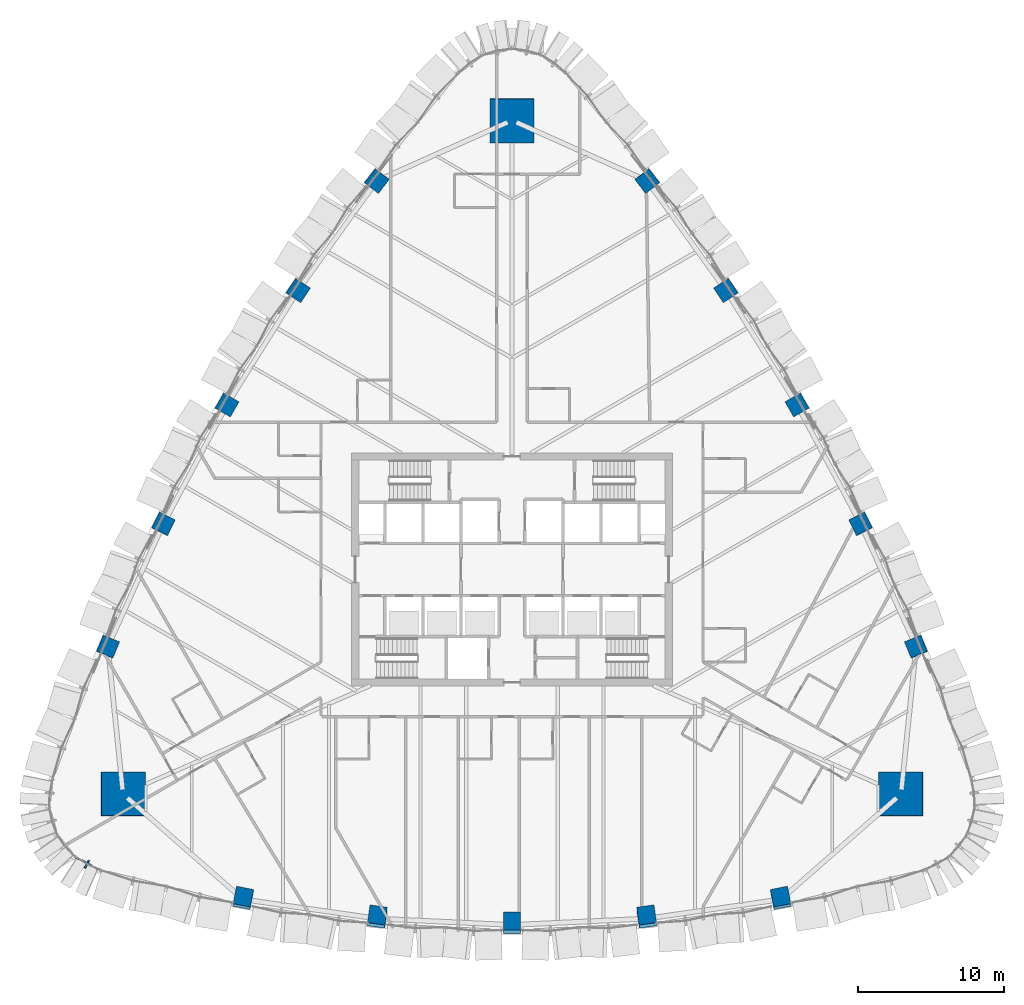
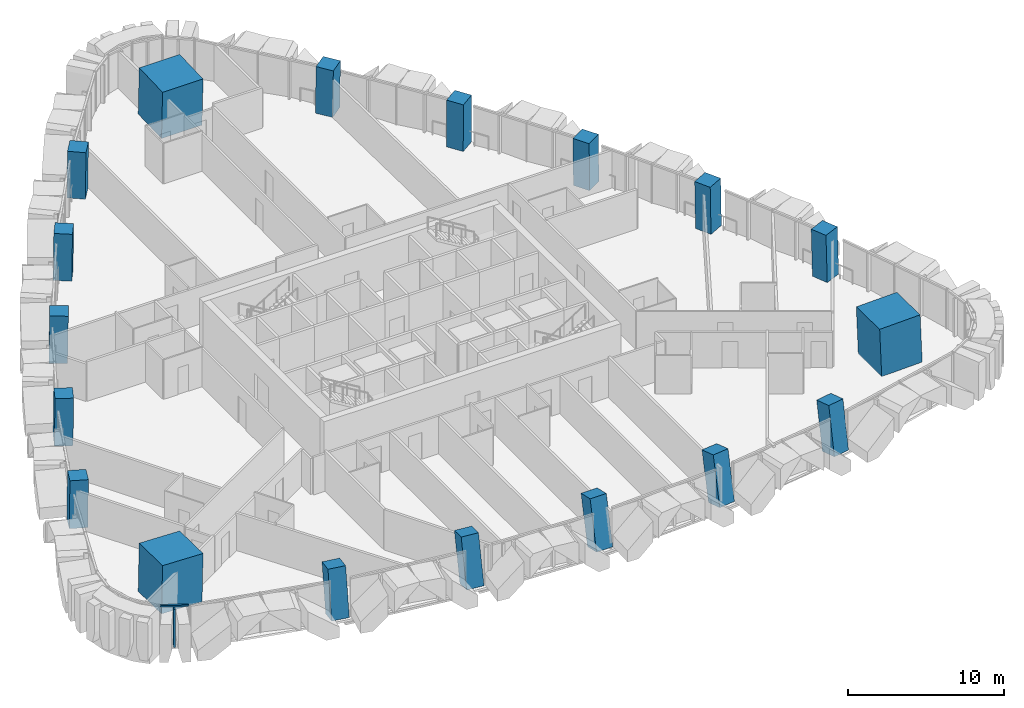
# One storey, part 1 of 22: 18 columns, 2 members, 1 element without a shape of its own.
"""IFC4 building model written with IfcOpenShell, lengths in metres."""

from ifc_helpers import new_model, si_unit, direction, frame, origin, origin_2d, place, context, subcontext, project, spatial, rectangle, extrude, clip, halfspace, material, layer, layer_set, material_profile, profile_set, type_object, element, aggregate, save


model = new_model("IFC4")

# Units and contexts
model_context = context("Model", 3, precision=1e-05, world=origin(), true_north=direction((0.0, 1.0)))
body_context = subcontext(model_context, "Body", "Model", "MODEL_VIEW")
ifc_project = project(units=[si_unit("LENGTHUNIT", "METRE"), si_unit("AREAUNIT", "SQUARE_METRE"), si_unit("VOLUMEUNIT", "CUBIC_METRE"), si_unit("PLANEANGLEUNIT", "RADIAN"), si_unit("MASSUNIT", "GRAM", prefix="KILO")], contexts=[model_context])

# Site, building, storey
site_placement = place(None, origin())
site = spatial("IfcSite", under=ifc_project, at=site_placement, CompositionType="ELEMENT")
building_placement = place(site_placement, origin())
building = spatial("IfcBuilding", under=site, at=building_placement, Name="Sierra Prisma Convention Tower", CompositionType="ELEMENT")
storey_placement = place(building_placement, frame((0.0, 0.0, 66.5)))
storey = spatial("IfcBuildingStorey", under=building, at=storey_placement, Name="L12", CompositionType="ELEMENT", Elevation=66.5)

# Columns
ifc_material_1 = material(Name="Concrete C60/75", Category="concrete")
ifc_material_profile_1 = material_profile(ifc_material_1, rectangle(XDim=3.0, YDim=3.0, at=origin_2d()), Name="Mega column RC 3000 C60/75")
ifc_profile_set_1 = profile_set([ifc_material_profile_1], Name="Concrete C60/75")
column_type_1 = type_object("IfcColumnType", Name="Mega column RC 3000 C60/75", PredefinedType="COLUMN", material=ifc_profile_set_1)
for number, where, z_axis, x_axis, name in (
    (1, (26.67578125, -15.4013671875, 0.0), (-0.030531956516, 0.017672925154, 0.999377539946), (0.99953379114, 0.000539840661, 0.030527183636), "Mega column SE L12"),
    (2, (0.0, 30.802490234375, 0.0), (0.0, -0.035214042205, 0.999379793288), (1.0, 0.0, 0.0), "Mega column N L12"),
    (3, (-26.67578125, -15.4013671875, 0.0), (0.030531956516, 0.017672925154, 0.999377539946), (0.99953379114, -0.000539840661, -0.030527183636), "Mega column SW L12"),
):
    element("IfcColumn", number, at=place(storey_placement, frame(where, z_axis=z_axis, x_axis=x_axis)), inside=storey, type_object=column_type_1, Name=name, PredefinedType="COLUMN", context=body_context, shape_type="SweptSolid", body=[
        extrude(rectangle(XDim=3.0, YDim=3.0, at=origin_2d()), origin(), (0.0, 0.0, 1.0), 3.7021484375),
    ])
ifc_material_2 = material(Name="Concrete C60/75", Category="concrete")
ifc_material_profile_2 = material_profile(ifc_material_2, rectangle(XDim=1.199951171875, YDim=1.199951171875, at=origin_2d()), Name="Perimeter column RC 1200 C60/75")
ifc_profile_set_2 = profile_set([ifc_material_profile_2], Name="Concrete C60/75")
column_type_2 = type_object("IfcColumnType", Name="Perimeter column RC 1200 C60/75", PredefinedType="COLUMN", material=ifc_profile_set_2)
column_1_placement = place(storey_placement, frame((-18.444580078125, -22.621826171875, 0.0), z_axis=(0.019018956694, 0.15899066195, 0.987096879085), x_axis=(-0.981890485807, 0.189097653635, -0.011539119147)))
element("IfcColumn", 4, at=column_1_placement, inside=storey, type_object=column_type_2, Name="Perimeter column S-1 L12", PredefinedType="COLUMN", context=body_context, shape_type="SweptSolid", body=[
    clip(clip(extrude(rectangle(XDim=1.199951171875, YDim=1.199951171875, at=origin_2d()), origin(), (0.0, 0.0, 1.0), 3.748291015625), halfspace(frame((0.0, 0.0, 0.005615234375)), True)), halfspace(frame((0.0, 0.0, 3.733642578125)), False)),
])
column_2_placement = place(storey_placement, frame((-9.242431640625, -23.938720703125, 0.0), z_axis=(0.00942953432, 0.204607977573, 0.978798579584), x_axis=(0.990215317111, -0.138199898552, 0.019349775144)))
element("IfcColumn", 5, at=column_2_placement, inside=storey, type_object=column_type_2, Name="Perimeter column S-2 L12", PredefinedType="COLUMN", context=body_context, shape_type="SweptSolid", body=[
    clip(clip(extrude(rectangle(XDim=1.199951171875, YDim=1.199951171875, at=origin_2d()), origin(), (0.0, 0.0, 1.0), 3.780029296875), halfspace(frame((0.0, 0.0, 0.006591796875)), True)), halfspace(frame((0.0, 0.0, 3.76220703125)), False)),
])
column_3_placement = place(storey_placement, frame((0.0, -24.376220703125, 0.0), z_axis=(0.0, 0.219274740936, 0.975663152931), x_axis=(-1.0, 0.0, 0.0)))
element("IfcColumn", 6, at=column_3_placement, inside=storey, type_object=column_type_2, Name="Perimeter column S-3 L12", PredefinedType="COLUMN", context=body_context, shape_type="SweptSolid", body=[
    clip(clip(extrude(rectangle(XDim=1.199951171875, YDim=1.199951171875, at=origin_2d()), origin(), (0.0, 0.0, 1.0), 3.792236328125), halfspace(frame((0.0, 0.0, 0.00634765625)), True)), halfspace(frame((0.0, 0.0, 3.774658203125)), False)),
])
column_4_placement = place(storey_placement, frame((9.242431640625, -23.938720703125, 0.0), z_axis=(-0.00942953432, 0.204607977573, 0.978798579584), x_axis=(-0.990215317111, -0.138199898552, 0.019349775144)))
element("IfcColumn", 7, at=column_4_placement, inside=storey, type_object=column_type_2, Name="Perimeter column S-4 L12", PredefinedType="COLUMN", context=body_context, shape_type="SweptSolid", body=[
    clip(clip(extrude(rectangle(XDim=1.199951171875, YDim=1.199951171875, at=origin_2d()), origin(), (0.0, 0.0, 1.0), 3.780029296875), halfspace(frame((0.0, 0.0, 0.006591796875)), True)), halfspace(frame((0.0, 0.0, 3.76220703125)), False)),
])
column_5_placement = place(storey_placement, frame((18.444580078125, -22.621826171875, 0.0), z_axis=(-0.019018956694, 0.15899066195, 0.987096879085), x_axis=(0.981890485807, 0.189097653635, -0.011539119147)))
element("IfcColumn", 8, at=column_5_placement, inside=storey, type_object=column_type_2, Name="Perimeter column S-5 L12", PredefinedType="COLUMN", context=body_context, shape_type="SweptSolid", body=[
    clip(clip(extrude(rectangle(XDim=1.199951171875, YDim=1.199951171875, at=origin_2d()), origin(), (0.0, 0.0, 1.0), 3.748291015625), halfspace(frame((0.0, 0.0, 0.005615234375)), True)), halfspace(frame((0.0, 0.0, 3.733642578125)), False)),
])
column_6_placement = place(storey_placement, frame((27.71630859375, -5.296142578125, 0.0), z_axis=(-0.019460655113, 0.011016709844, 0.999749926235), x_axis=(-0.381436993844, 0.924227098821, -0.017609359201)))
element("IfcColumn", 9, at=column_6_placement, inside=storey, type_object=column_type_2, Name="Perimeter column NE-1 L12", PredefinedType="COLUMN", context=body_context, shape_type="SweptSolid", body=[
    extrude(rectangle(XDim=1.199951171875, YDim=1.199951171875, at=origin_2d()), origin(), (0.0, 0.0, 1.0), 3.700927734375),
])
column_7_placement = place(storey_placement, frame((23.90771484375, 3.130859375, 0.0), z_axis=(-0.015240683228, 0.002309194428, 0.99988118754), x_axis=(-0.441667514031, 0.897135606394, -0.008804021245)))
element("IfcColumn", 10, at=column_7_placement, inside=storey, type_object=column_type_2, Name="Perimeter column NE-2 L12", PredefinedType="COLUMN", context=body_context, shape_type="SweptSolid", body=[
    extrude(rectangle(XDim=1.199951171875, YDim=1.199951171875, at=origin_2d()), origin(), (0.0, 0.0, 1.0), 3.700439453125),
])
column_8_placement = place(storey_placement, frame((19.551025390625, 11.287841796875, 0.0), z_axis=(-0.010622752832, -0.006202104138, 0.999924342651), x_axis=(-0.499971788485, 0.866041689005, 6.0208566e-05)))
element("IfcColumn", 11, at=column_8_placement, inside=storey, type_object=column_type_2, Name="Perimeter column NE-3 L12", PredefinedType="COLUMN", context=body_context, shape_type="SweptSolid", body=[
    extrude(rectangle(XDim=1.199951171875, YDim=1.199951171875, at=origin_2d()), origin(), (0.0, 0.0, 1.0), 3.7001953125),
])
column_9_placement = place(storey_placement, frame((14.665283203125, 19.139404296875, 0.0), z_axis=(-0.005674016471, -0.014382971985, 0.999880460682), x_axis=(-0.55608940167, 0.831075900632, 0.008799132814)))
element("IfcColumn", 12, at=column_9_placement, inside=storey, type_object=column_type_2, Name="Perimeter column NE-4 L12", PredefinedType="COLUMN", context=body_context, shape_type="SweptSolid", body=[
    extrude(rectangle(XDim=1.199951171875, YDim=1.199951171875, at=origin_2d()), origin(), (0.0, 0.0, 1.0), 3.700439453125),
])
for number, where, z_axis, x_axis, name in (
    (13, (9.271484375, 26.651123046875, 0.0), (-0.000131936642, -0.022363260764, 0.999749902306), (-0.609768966544, 0.792382791817, 0.017644224909), "Perimeter column NE-5 L12"),
    (14, (-9.271484375, 26.651123046875, 0.0), (0.000131936642, -0.022363260764, 0.999749902306), (0.609768966544, 0.792382791817, 0.017644224909), "Perimeter column NW-1 L12"),
):
    element("IfcColumn", number, at=place(storey_placement, frame(where, z_axis=z_axis, x_axis=x_axis)), inside=storey, type_object=column_type_2, Name=name, PredefinedType="COLUMN", context=body_context, shape_type="SweptSolid", body=[
        extrude(rectangle(XDim=1.199951171875, YDim=1.199951171875, at=origin_2d()), origin(), (0.0, 0.0, 1.0), 3.700927734375),
    ])
column_10_placement = place(storey_placement, frame((-14.665283203125, 19.139404296875, 0.0), z_axis=(0.005674016471, -0.014382971985, 0.999880460682), x_axis=(0.55608940167, 0.831075900632, 0.008799132814)))
element("IfcColumn", 15, at=column_10_placement, inside=storey, type_object=column_type_2, Name="Perimeter column NW-2 L12", PredefinedType="COLUMN", context=body_context, shape_type="SweptSolid", body=[
    extrude(rectangle(XDim=1.199951171875, YDim=1.199951171875, at=origin_2d()), origin(), (0.0, 0.0, 1.0), 3.700439453125),
])
column_11_placement = place(storey_placement, frame((-19.551025390625, 11.287841796875, 0.0), z_axis=(0.010622752832, -0.006202104138, 0.999924342651), x_axis=(0.499971788485, 0.866041689005, 6.0208566e-05)))
element("IfcColumn", 16, at=column_11_placement, inside=storey, type_object=column_type_2, Name="Perimeter column NW-3 L12", PredefinedType="COLUMN", context=body_context, shape_type="SweptSolid", body=[
    extrude(rectangle(XDim=1.199951171875, YDim=1.199951171875, at=origin_2d()), origin(), (0.0, 0.0, 1.0), 3.7001953125),
])
column_12_placement = place(storey_placement, frame((-23.90771484375, 3.130859375, 0.0), z_axis=(0.015240683228, 0.002309194428, 0.99988118754), x_axis=(0.441667514031, 0.897135606394, -0.008804021245)))
element("IfcColumn", 17, at=column_12_placement, inside=storey, type_object=column_type_2, Name="Perimeter column NW-4 L12", PredefinedType="COLUMN", context=body_context, shape_type="SweptSolid", body=[
    extrude(rectangle(XDim=1.199951171875, YDim=1.199951171875, at=origin_2d()), origin(), (0.0, 0.0, 1.0), 3.700439453125),
])
column_13_placement = place(storey_placement, frame((-27.71630859375, -5.296142578125, 0.0), z_axis=(0.019460655113, 0.011016709844, 0.999749926235), x_axis=(0.381436993844, 0.924227098821, -0.017609359201)))
element("IfcColumn", 18, at=column_13_placement, inside=storey, type_object=column_type_2, Name="Perimeter column NW-5 L12", PredefinedType="COLUMN", context=body_context, shape_type="SweptSolid", body=[
    extrude(rectangle(XDim=1.199951171875, YDim=1.199951171875, at=origin_2d()), origin(), (0.0, 0.0, 1.0), 3.700927734375),
])

# Curtain wall, members
ifc_material_3 = material(Name="Aluminium and glass curtain wall", Category="aluminium")
ifc_layer = layer(ifc_material_3, 0.179931640625)
ifc_layer_set = layer_set([ifc_layer], Name="CW-2 Faceted crystal curtain wall")
curtain_wall_type = type_object("IfcCurtainWallType", Name="CW-2 Faceted crystal curtain wall", PredefinedType="NOTDEFINED", material=ifc_layer_set)
curtain_wall_placement = place(storey_placement, origin())
curtain_wall = element("IfcCurtainWall", 19, at=curtain_wall_placement, inside=storey, type_object=curtain_wall_type, Name="CW-2 SW4 L12", PredefinedType="NOTDEFINED")
ifc_material_4 = material(Name="Aluminium 6063-T6 bronze anodised", Category="aluminium")
ifc_material_profile_3 = material_profile(ifc_material_4, rectangle(XDim=0.1201171875, YDim=0.60009765625, at=origin_2d()), Name="ALU RIDGE BLADE 120x600")
ifc_profile_set_3 = profile_set([ifc_material_profile_3], Name="Aluminium 6063-T6 bronze anodised")
member_type_1 = type_object("IfcMemberType", Name="CW hip bronze", PredefinedType="MULLION", material=ifc_profile_set_3)
member_1_placement = place(storey_placement, frame((-29.15771484375, -20.22412109375, 0.0), z_axis=(0.0, 0.0, 1.0), x_axis=(0.881454016151, -0.472269856557, 0.0)))
member_1 = element("IfcMember", 20, at=member_1_placement, type_object=member_type_1, Name="CW-2 ridge SW4.1", PredefinedType="MULLION", context=body_context, shape_type="SweptSolid", body=[
    extrude(rectangle(XDim=0.1201171875, YDim=0.60009765625, at=origin_2d()), origin(), (0.0, 0.0, 1.0), 2.97998046875),
])
ifc_material_5 = material(Name="Aluminium 6063-T6 bronze anodised", Category="aluminium")
ifc_material_profile_4 = material_profile(ifc_material_5, rectangle(XDim=0.139892578125, YDim=0.1201171875, at=origin_2d()), Name="ALU TRANSOM 120x140")
ifc_profile_set_4 = profile_set([ifc_material_profile_4], Name="Aluminium 6063-T6 bronze anodised")
member_type_2 = type_object("IfcMemberType", Name="CW transom bronze", PredefinedType="USERDEFINED", material=ifc_profile_set_4)
member_2_placement = place(storey_placement, frame((-29.92431640625, -19.732177734375, 3.0400390625), z_axis=(0.881431996422, -0.472310952323, 0.0), x_axis=(0.472310952323, 0.881431996422, 0.0)))
member_2 = element("IfcMember", 21, at=member_2_placement, type_object=member_type_2, Name="CW-1 transom SW4.1", ObjectType="TRANSOM", PredefinedType="USERDEFINED", context=body_context, shape_type="SweptSolid", body=[
    extrude(rectangle(XDim=0.139892578125, YDim=0.1201171875, at=origin_2d()), origin(), (0.0, 0.0, 1.0), 1.81591796875),
])
aggregate(curtain_wall, [member_2, member_1])

save(model, "model.ifc")
